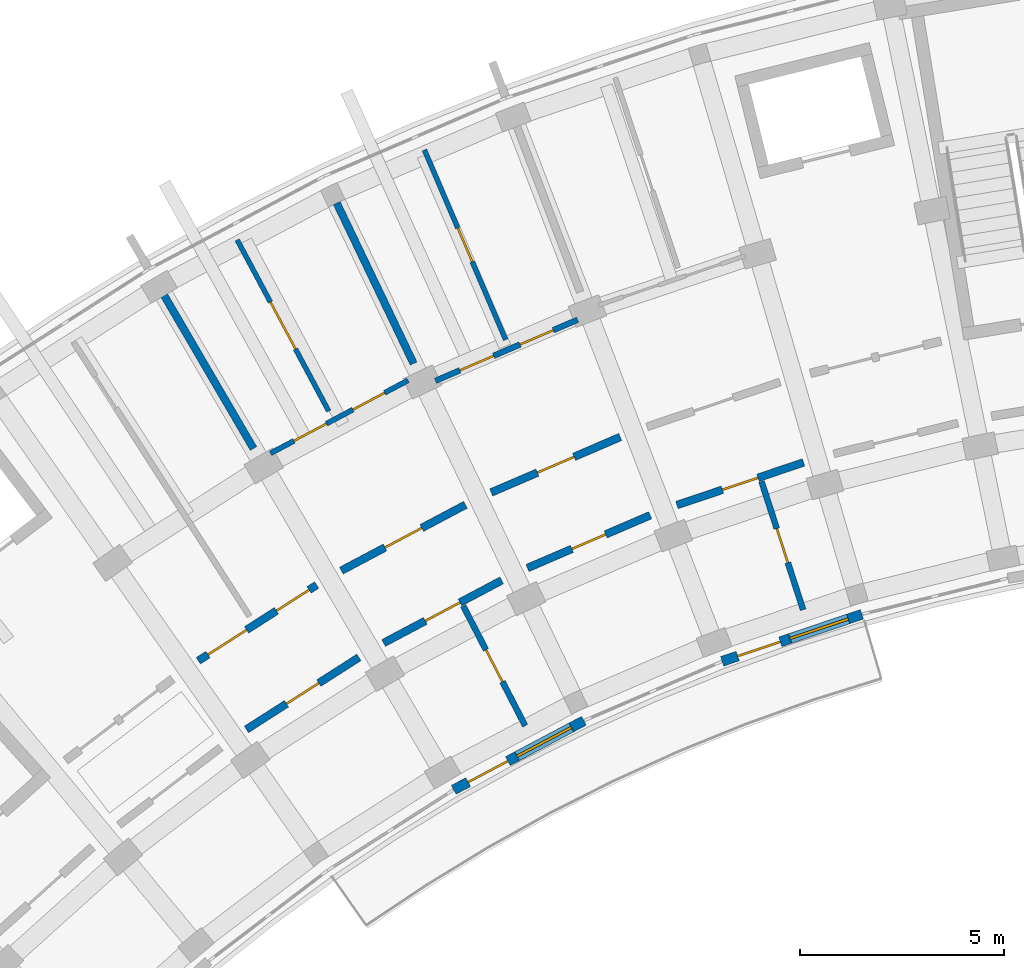
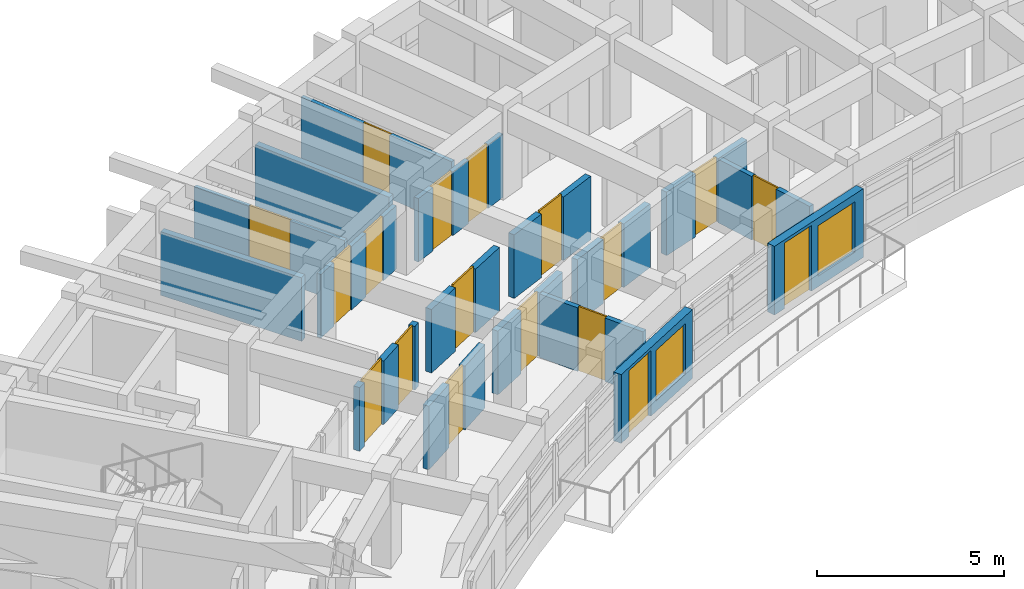
# One storey, part 28 of 56: 18 doors, 17 walls, 2 windows, 20 openings.
"""IFC4 building model written with IfcOpenShell, lengths in metres."""

from ifc_helpers import new_model, si_unit, direction, frame, frame_2d, origin, place, context, subcontext, project, spatial, rectangle, extrude, material, layer, layer_set, type_object, element, fill, save


model = new_model("IFC4")

# Units and contexts
model_context = context("Model", 3, precision=1e-05, world=origin(), true_north=direction((0.0, 1.0)))
body_context = subcontext(model_context, "Body", "Model", "MODEL_VIEW")
ifc_project = project(units=[si_unit("LENGTHUNIT", "METRE"), si_unit("AREAUNIT", "SQUARE_METRE"), si_unit("VOLUMEUNIT", "CUBIC_METRE"), si_unit("PLANEANGLEUNIT", "RADIAN"), si_unit("MASSUNIT", "GRAM", prefix="KILO")], contexts=[model_context])

# Site, building, storey
site_placement = place(None, origin())
site = spatial("IfcSite", under=ifc_project, at=site_placement, CompositionType="ELEMENT")
building_placement = place(site_placement, origin())
building = spatial("IfcBuilding", under=site, at=building_placement, Name="Zimvara Arc Housing Community", CompositionType="ELEMENT")
storey_placement = place(building_placement, frame((0.0, 0.0, 11.199951171875)))
storey = spatial("IfcBuildingStorey", under=building, at=storey_placement, Name="L03", CompositionType="ELEMENT", Elevation=11.199951171875)

# Wall, openings, door, window
ifc_material_1 = material(Name="Pigmented Fair-Faced Concrete C35/45", Category="concrete")
ifc_layer_1 = layer(ifc_material_1, 0.2451171875)
ifc_layer_set_1 = layer_set([ifc_layer_1], Name="Pigmented Fair-Faced Concrete C35/45")
wall_type_1 = type_object("IfcWallType", Name="EWL-PIGM-245", PredefinedType="SOLIDWALL", material=ifc_layer_set_1)
wall_1_placement = place(storey_placement, frame((22.51904296875, 83.0419921875, 0.0), z_axis=(0.0, 0.0, 1.0), x_axis=(0.883438308286, 0.468547495407, 0.0)))
wall_1 = element("IfcWall", 1, at=wall_1_placement, inside=storey, type_object=wall_type_1, Name="ewall:blkA:L03:in:b4", PredefinedType="SOLIDWALL", context=body_context, shape_type="SweptSolid", body=[
    extrude(rectangle(XDim=3.603759765625, YDim=0.2451171875, at=frame_2d((1.8017578125, 0.0))), origin(), (0.0, 0.0, 1.0), 2.25),
])
opening_1_placement = place(wall_1_placement, frame((0.39990234375, 0.0, 0.0)))
opening_1 = element("IfcOpeningElement", 2, at=opening_1_placement, cuts=wall_1, Name="Opening ED06", PredefinedType="OPENING", context=body_context, shape_type="SweptSolid", body=[
    extrude(rectangle(XDim=1.10009765625, YDim=2.14990234375, at=frame_2d((0.550048828125, 1.074951171875))), frame((0.0, 0.132568359375, 0.0), z_axis=(0.0, -1.0, 0.0), x_axis=(1.0, 0.0, 0.0)), (0.0, 0.0, 1.0), 0.26513671875),
])
opening_2_placement = place(wall_1_placement, frame((1.753662109375, 0.0, 0.35009765625)))
opening_2 = element("IfcOpeningElement", 3, at=opening_2_placement, cuts=wall_1, Name="Opening W07", PredefinedType="OPENING", context=body_context, shape_type="SweptSolid", body=[
    extrude(rectangle(XDim=1.5, YDim=1.64990234375, at=frame_2d((0.75, 0.824951171875))), frame((0.0, 0.132568359375, 0.0), z_axis=(0.0, -1.0, 0.0), x_axis=(1.0, 0.0, 0.0)), (0.0, 0.0, 1.0), 0.26513671875),
])
ifc_material_2 = material(Name="Anodised Aluminium AW-6063", Category="aluminium")
door_type_1 = type_object("IfcDoorType", Name="EDR-TERR-1100x2150", OperationType="NOTDEFINED", PredefinedType="DOOR", material=ifc_material_2)
door_1_placement = place(opening_1_placement, origin())
door_1 = element("IfcDoor", 4, at=door_1_placement, inside=storey, type_object=door_type_1, Name="edoor:blkA:L03:bal_in:b4", OperationType="SINGLE_SWING_RIGHT", OverallHeight=2.14990234375, OverallWidth=1.10009765625, PredefinedType="DOOR", context=body_context, shape_type="SweptSolid", body=[
    extrude(rectangle(XDim=1.10009765625, YDim=2.14990234375, at=frame_2d((0.550048828125, 1.074951171875))), frame((0.0, 0.02490234375, 0.0), z_axis=(0.0, -1.0, 0.0), x_axis=(1.0, 0.0, 0.0)), (0.0, 0.0, 1.0), 0.050048828125),
])
fill(opening_1, door_1)
ifc_material_3 = material(Name="Solar Control Low-E Double Glazing", Category="glass")
window_type = type_object("IfcWindowType", Name="WIN-RES-1500x1650", PartitioningType="DOUBLE_PANEL_VERTICAL", PredefinedType="WINDOW", material=ifc_material_3)
window_1_placement = place(opening_2_placement, origin())
window_1 = element("IfcWindow", 5, at=window_1_placement, inside=storey, type_object=window_type, Name="win:blkA:L03:in:b4:balw", OverallHeight=1.64990234375, OverallWidth=1.5, PartitioningType="DOUBLE_PANEL_VERTICAL", PredefinedType="WINDOW", context=body_context, shape_type="SweptSolid", body=[
    extrude(rectangle(XDim=1.5, YDim=1.64990234375, at=frame_2d((0.75, 0.824951171875))), frame((0.0, 0.030029296875, 0.0), z_axis=(0.0, -1.0, 0.0), x_axis=(1.0, 0.0, 0.0)), (0.0, 0.0, 1.0), 0.06005859375),
])
fill(opening_2, window_1)

wall_2_placement = place(storey_placement, frame((29.086669921875, 86.18505859375, 0.0), z_axis=(0.0, 0.0, 1.0), x_axis=(0.947880824442, 0.318625081649, 0.0)))
wall_2 = element("IfcWall", 6, at=wall_2_placement, inside=storey, type_object=wall_type_1, Name="ewall:blkA:L03:in:b6", PredefinedType="SOLIDWALL", context=body_context, shape_type="SweptSolid", body=[
    extrude(rectangle(XDim=3.603515625, YDim=0.2451171875, at=frame_2d((1.8017578125, 0.0))), origin(), (0.0, 0.0, 1.0), 2.25),
])
opening_3_placement = place(wall_2_placement, frame((0.39990234375, 0.0, 0.0)))
opening_3 = element("IfcOpeningElement", 7, at=opening_3_placement, cuts=wall_2, Name="Opening ED06", PredefinedType="OPENING", context=body_context, shape_type="SweptSolid", body=[
    extrude(rectangle(XDim=1.10009765625, YDim=2.14990234375, at=frame_2d((0.550048828125, 1.074951171875))), frame((0.0, 0.132568359375, 0.0), z_axis=(0.0, -1.0, 0.0), x_axis=(1.0, 0.0, 0.0)), (0.0, 0.0, 1.0), 0.26513671875),
])
opening_4_placement = place(wall_2_placement, frame((1.753662109375, 0.0, 0.35009765625)))
opening_4 = element("IfcOpeningElement", 8, at=opening_4_placement, cuts=wall_2, Name="Opening W07", PredefinedType="OPENING", context=body_context, shape_type="SweptSolid", body=[
    extrude(rectangle(XDim=1.5, YDim=1.64990234375, at=frame_2d((0.75, 0.824951171875))), frame((0.0, 0.132568359375, 0.0), z_axis=(0.0, -1.0, 0.0), x_axis=(1.0, 0.0, 0.0)), (0.0, 0.0, 1.0), 0.26513671875),
])
door_2_placement = place(opening_3_placement, origin())
door_2 = element("IfcDoor", 9, at=door_2_placement, inside=storey, type_object=door_type_1, Name="edoor:blkA:L03:bal_in:b6", OperationType="SINGLE_SWING_RIGHT", OverallHeight=2.14990234375, OverallWidth=1.10009765625, PredefinedType="DOOR", context=body_context, shape_type="SweptSolid", body=[
    extrude(rectangle(XDim=1.10009765625, YDim=2.14990234375, at=frame_2d((0.550048828125, 1.074951171875))), frame((0.0, 0.02490234375, 0.0), z_axis=(0.0, -1.0, 0.0), x_axis=(1.0, 0.0, 0.0)), (0.0, 0.0, 1.0), 0.050048828125),
])
fill(opening_3, door_2)
window_2_placement = place(opening_4_placement, origin())
window_2 = element("IfcWindow", 10, at=window_2_placement, inside=storey, type_object=window_type, Name="win:blkA:L03:in:b6:balw", OverallHeight=1.64990234375, OverallWidth=1.5, PartitioningType="DOUBLE_PANEL_VERTICAL", PredefinedType="WINDOW", context=body_context, shape_type="SweptSolid", body=[
    extrude(rectangle(XDim=1.5, YDim=1.64990234375, at=frame_2d((0.75, 0.824951171875))), frame((0.0, 0.030029296875, 0.0), z_axis=(0.0, -1.0, 0.0), x_axis=(1.0, 0.0, 0.0)), (0.0, 0.0, 1.0), 0.06005859375),
])
fill(opening_4, window_2)

# Wall, openings, doors
ifc_material_4 = material(Name="Concrete C35/45", Category="concrete")
ifc_layer_2 = layer(ifc_material_4, 0.18994140625)
ifc_layer_set_2 = layer_set([ifc_layer_2], Name="Concrete C35/45")
wall_type_2 = type_object("IfcWallType", Name="IWL-CORR-190", PredefinedType="SOLIDWALL", material=ifc_layer_set_2)
wall_3_placement = place(storey_placement, frame((16.272216796875, 86.198974609375, 0.0), z_axis=(0.0, 0.0, 1.0), x_axis=(0.842257205985, 0.539075874963, 0.0)))
wall_3 = element("IfcWall", 11, at=wall_3_placement, inside=storey, type_object=wall_type_2, Name="iwall:blkA:L03:corr_out:b3", PredefinedType="SOLIDWALL", context=body_context, shape_type="SweptSolid", body=[
    extrude(rectangle(XDim=3.43603515625, YDim=0.18994140625, at=frame_2d((1.718017578125, 0.0))), origin(), (0.0, 0.0, 1.0), 2.080078125),
])
opening_5_placement = place(wall_3_placement, frame((0.280029296875, 0.0, 0.0)))
opening_5 = element("IfcOpeningElement", 12, at=opening_5_placement, cuts=wall_3, Name="Opening D07", PredefinedType="OPENING", context=body_context, shape_type="SweptSolid", body=[
    extrude(rectangle(XDim=1.1201171875, YDim=2.14990234375, at=frame_2d((0.56005859375, 1.074951171875))), frame((0.0, 0.10498046875, 0.0), z_axis=(0.0, -1.0, 0.0), x_axis=(1.0, 0.0, 0.0)), (0.0, 0.0, 1.0), 0.2099609375),
])
opening_6_placement = place(wall_3_placement, frame((2.26611328125, 0.0, 0.0)))
opening_6 = element("IfcOpeningElement", 13, at=opening_6_placement, cuts=wall_3, Name="Opening D06", PredefinedType="OPENING", context=body_context, shape_type="SweptSolid", body=[
    extrude(rectangle(XDim=0.949951171875, YDim=2.10009765625, at=frame_2d((0.47509765625, 1.050048828125))), frame((0.0, 0.10498046875, 0.0), z_axis=(0.0, -1.0, 0.0), x_axis=(1.0, 0.0, 0.0)), (0.0, 0.0, 1.0), 0.2099609375),
])
ifc_material_5 = material(Name="Mozambican Hardwood", Category="wood")
door_type_2 = type_object("IfcDoorType", Name="IDR-AMN-1120x2150", OperationType="NOTDEFINED", PredefinedType="DOOR", material=ifc_material_5)
door_3_placement = place(opening_5_placement, origin())
door_3 = element("IfcDoor", 14, at=door_3_placement, inside=storey, type_object=door_type_2, Name="idoor:blkA:L03:amen:b3", OperationType="SINGLE_SWING_RIGHT", OverallHeight=2.14990234375, OverallWidth=1.1201171875, PredefinedType="DOOR", context=body_context, shape_type="SweptSolid", body=[
    extrude(rectangle(XDim=1.1201171875, YDim=2.14990234375, at=frame_2d((0.56005859375, 1.074951171875))), frame((0.0, 0.02490234375, 0.0), z_axis=(0.0, -1.0, 0.0), x_axis=(1.0, 0.0, 0.0)), (0.0, 0.0, 1.0), 0.050048828125),
])
fill(opening_5, door_3)
ifc_material_6 = material(Name="Mozambican Hardwood", Category="wood")
door_type_3 = type_object("IfcDoorType", Name="IDR-AWC-0950x2100", OperationType="NOTDEFINED", PredefinedType="DOOR", material=ifc_material_6)
door_4_placement = place(opening_6_placement, origin())
door_4 = element("IfcDoor", 15, at=door_4_placement, inside=storey, type_object=door_type_3, Name="idoor:blkA:L03:cawc:b3", OperationType="SINGLE_SWING_LEFT", OverallHeight=2.10009765625, OverallWidth=0.949951171875, PredefinedType="DOOR", context=body_context, shape_type="SweptSolid", body=[
    extrude(rectangle(XDim=0.949951171875, YDim=2.10009765625, at=frame_2d((0.47509765625, 1.050048828125))), frame((0.0, 0.02490234375, 0.0), z_axis=(0.0, -1.0, 0.0), x_axis=(1.0, 0.0, 0.0)), (0.0, 0.0, 1.0), 0.050048828125),
])
fill(opening_6, door_4)

# Wall, opening, door
wall_4_placement = place(storey_placement, frame((17.44677734375, 84.518798828125, 0.0), z_axis=(0.0, 0.0, 1.0), x_axis=(0.842225276846, 0.539125758095, 0.0)))
wall_4 = element("IfcWall", 16, at=wall_4_placement, inside=storey, type_object=wall_type_2, Name="iwall:blkA:L03:corr_in:b3", PredefinedType="SOLIDWALL", context=body_context, shape_type="SweptSolid", body=[
    extrude(rectangle(XDim=3.2685546875, YDim=0.18994140625, at=frame_2d((1.63427734375, 0.0))), origin(), (0.0, 0.0, 1.0), 2.080078125),
])
opening_7_placement = place(wall_4_placement, frame((1.164306640625, 0.0, 0.0)))
opening_7 = element("IfcOpeningElement", 17, at=opening_7_placement, cuts=wall_4, Name="Opening D03", PredefinedType="OPENING", context=body_context, shape_type="SweptSolid", body=[
    extrude(rectangle(XDim=0.93994140625, YDim=2.10009765625, at=frame_2d((0.469970703125, 1.050048828125))), frame((0.0, 0.10498046875, 0.0), z_axis=(0.0, -1.0, 0.0), x_axis=(1.0, 0.0, 0.0)), (0.0, 0.0, 1.0), 0.2099609375),
])
ifc_material_7 = material(Name="Mozambican Hardwood", Category="wood")
door_type_4 = type_object("IfcDoorType", Name="IDR-RM-0940x2100", OperationType="NOTDEFINED", PredefinedType="DOOR", material=ifc_material_7)
door_5_placement = place(opening_7_placement, origin())
door_5 = element("IfcDoor", 18, at=door_5_placement, inside=storey, type_object=door_type_4, Name="idoor:blkA:L03:in_rm:b3", OperationType="SINGLE_SWING_RIGHT", OverallHeight=2.10009765625, OverallWidth=0.93994140625, PredefinedType="DOOR", context=body_context, shape_type="SweptSolid", body=[
    extrude(rectangle(XDim=0.93994140625, YDim=2.10009765625, at=frame_2d((0.469970703125, 1.050048828125))), frame((0.0, 0.02490234375, 0.0), z_axis=(0.0, -1.0, 0.0), x_axis=(1.0, 0.0, 0.0)), (0.0, 0.0, 1.0), 0.050048828125),
])
fill(opening_7, door_5)

wall_5_placement = place(storey_placement, frame((19.770263671875, 88.40380859375, 0.0), z_axis=(0.0, 0.0, 1.0), x_axis=(0.883410853063, 0.468599258099, 0.0)))
wall_5 = element("IfcWall", 19, at=wall_5_placement, inside=storey, type_object=wall_type_2, Name="iwall:blkA:L03:corr_out:b4", PredefinedType="SOLIDWALL", context=body_context, shape_type="SweptSolid", body=[
    extrude(rectangle(XDim=3.43603515625, YDim=0.18994140625, at=frame_2d((1.718017578125, 0.0))), origin(), (0.0, 0.0, 1.0), 2.080078125),
])
opening_8_placement = place(wall_5_placement, frame((1.2080078125, 0.0, 0.0)))
opening_8 = element("IfcOpeningElement", 20, at=opening_8_placement, cuts=wall_5, Name="Opening FD-FL2", PredefinedType="OPENING", context=body_context, shape_type="SweptSolid", body=[
    extrude(rectangle(XDim=1.02001953125, YDim=2.14990234375, at=frame_2d((0.510009765625, 1.074951171875))), frame((0.0, 0.10498046875, 0.0), z_axis=(0.0, -1.0, 0.0), x_axis=(1.0, 0.0, 0.0)), (0.0, 0.0, 1.0), 0.2099609375),
])
ifc_material_8 = material(Name="Mozambican Hardwood", Category="wood")
door_type_5 = type_object("IfcDoorType", Name="IDR-FLAT-1020x2150", OperationType="NOTDEFINED", PredefinedType="DOOR", material=ifc_material_8)
door_6_placement = place(opening_8_placement, origin())
door_6 = element("IfcDoor", 21, at=door_6_placement, inside=storey, type_object=door_type_5, Name="idoor:blkA:L03:flat:b4", OperationType="SINGLE_SWING_RIGHT", OverallHeight=2.14990234375, OverallWidth=1.02001953125, PredefinedType="DOOR", context=body_context, shape_type="SweptSolid", body=[
    extrude(rectangle(XDim=1.02001953125, YDim=2.14990234375, at=frame_2d((0.510009765625, 1.074951171875))), frame((0.0, 0.02490234375, 0.0), z_axis=(0.0, -1.0, 0.0), x_axis=(1.0, 0.0, 0.0)), (0.0, 0.0, 1.0), 0.050048828125),
])
fill(opening_8, door_6)

wall_6_placement = place(storey_placement, frame((20.8037109375, 86.633544921875, 0.0), z_axis=(0.0, 0.0, 1.0), x_axis=(0.883444301944, 0.468536194293, 0.0)))
wall_6 = element("IfcWall", 22, at=wall_6_placement, inside=storey, type_object=wall_type_2, Name="iwall:blkA:L03:corr_in:b4", PredefinedType="SOLIDWALL", context=body_context, shape_type="SweptSolid", body=[
    extrude(rectangle(XDim=3.268798828125, YDim=0.18994140625, at=frame_2d((1.63427734375, 0.0))), origin(), (0.0, 0.0, 1.0), 2.080078125),
])
opening_9_placement = place(wall_6_placement, frame((1.154296875, 0.0, 0.0)))
opening_9 = element("IfcOpeningElement", 23, at=opening_9_placement, cuts=wall_6, Name="Opening D04", PredefinedType="OPENING", context=body_context, shape_type="SweptSolid", body=[
    extrude(rectangle(XDim=0.9599609375, YDim=2.10009765625, at=frame_2d((0.47998046875, 1.050048828125))), frame((0.0, 0.10498046875, 0.0), z_axis=(0.0, -1.0, 0.0), x_axis=(1.0, 0.0, 0.0)), (0.0, 0.0, 1.0), 0.2099609375),
])
ifc_material_9 = material(Name="Mozambican Hardwood", Category="wood")
door_type_6 = type_object("IfcDoorType", Name="IDR-RM-0960x2100", OperationType="NOTDEFINED", PredefinedType="DOOR", material=ifc_material_9)
door_7_placement = place(opening_9_placement, origin())
door_7 = element("IfcDoor", 24, at=door_7_placement, inside=storey, type_object=door_type_6, Name="idoor:blkA:L03:in_rm:b4", OperationType="SINGLE_SWING_LEFT", OverallHeight=2.10009765625, OverallWidth=0.9599609375, PredefinedType="DOOR", context=body_context, shape_type="SweptSolid", body=[
    extrude(rectangle(XDim=0.9599609375, YDim=2.10009765625, at=frame_2d((0.47998046875, 1.050048828125))), frame((0.0, 0.02490234375, 0.0), z_axis=(0.0, -1.0, 0.0), x_axis=(1.0, 0.0, 0.0)), (0.0, 0.0, 1.0), 0.050048828125),
])
fill(opening_9, door_7)

wall_7_placement = place(storey_placement, frame((23.4365234375, 90.31591796875, 0.0), z_axis=(0.0, 0.0, 1.0), x_axis=(0.918718172399, 0.394913813008, 0.0)))
wall_7 = element("IfcWall", 25, at=wall_7_placement, inside=storey, type_object=wall_type_2, Name="iwall:blkA:L03:corr_out:b5", PredefinedType="SOLIDWALL", context=body_context, shape_type="SweptSolid", body=[
    extrude(rectangle(XDim=3.43603515625, YDim=0.18994140625, at=frame_2d((1.718017578125, 0.0))), origin(), (0.0, 0.0, 1.0), 2.080078125),
])
opening_10_placement = place(wall_7_placement, frame((1.22802734375, 0.0, 0.0)))
opening_10 = element("IfcOpeningElement", 26, at=opening_10_placement, cuts=wall_7, Name="Opening FD-FL1", PredefinedType="OPENING", context=body_context, shape_type="SweptSolid", body=[
    extrude(rectangle(XDim=0.97998046875, YDim=2.14990234375, at=frame_2d((0.489990234375, 1.074951171875))), frame((0.0, 0.10498046875, 0.0), z_axis=(0.0, -1.0, 0.0), x_axis=(1.0, 0.0, 0.0)), (0.0, 0.0, 1.0), 0.2099609375),
])
ifc_material_10 = material(Name="Mozambican Hardwood", Category="wood")
door_type_7 = type_object("IfcDoorType", Name="IDR-FLAT-0980x2150", OperationType="NOTDEFINED", PredefinedType="DOOR", material=ifc_material_10)
door_8_placement = place(opening_10_placement, origin())
door_8 = element("IfcDoor", 27, at=door_8_placement, inside=storey, type_object=door_type_7, Name="idoor:blkA:L03:flat:b5", OperationType="SINGLE_SWING_RIGHT", OverallHeight=2.14990234375, OverallWidth=0.97998046875, PredefinedType="DOOR", context=body_context, shape_type="SweptSolid", body=[
    extrude(rectangle(XDim=0.97998046875, YDim=2.14990234375, at=frame_2d((0.489990234375, 1.074951171875))), frame((0.0, 0.02490234375, 0.0), z_axis=(0.0, -1.0, 0.0), x_axis=(1.0, 0.0, 0.0)), (0.0, 0.0, 1.0), 0.050048828125),
])
fill(opening_10, door_8)

wall_8_placement = place(storey_placement, frame((24.322265625, 88.46728515625, 0.0), z_axis=(0.0, 0.0, 1.0), x_axis=(0.918723391052, 0.394901672235, 0.0)))
wall_8 = element("IfcWall", 28, at=wall_8_placement, inside=storey, type_object=wall_type_2, Name="iwall:blkA:L03:corr_in:b5", PredefinedType="SOLIDWALL", context=body_context, shape_type="SweptSolid", body=[
    extrude(rectangle(XDim=3.2685546875, YDim=0.18994140625, at=frame_2d((1.63427734375, 0.0))), origin(), (0.0, 0.0, 1.0), 2.080078125),
])
opening_11_placement = place(wall_8_placement, frame((1.184326171875, 0.0, 0.0)))
opening_11 = element("IfcOpeningElement", 29, at=opening_11_placement, cuts=wall_8, Name="Opening D01", PredefinedType="OPENING", context=body_context, shape_type="SweptSolid", body=[
    extrude(rectangle(XDim=0.89990234375, YDim=2.10009765625, at=frame_2d((0.449951171875, 1.050048828125))), frame((0.0, 0.10498046875, 0.0), z_axis=(0.0, -1.0, 0.0), x_axis=(1.0, 0.0, 0.0)), (0.0, 0.0, 1.0), 0.2099609375),
])
ifc_material_11 = material(Name="Mozambican Hardwood", Category="wood")
door_type_8 = type_object("IfcDoorType", Name="IDR-RM-0900x2100", OperationType="NOTDEFINED", PredefinedType="DOOR", material=ifc_material_11)
door_9_placement = place(opening_11_placement, origin())
door_9 = element("IfcDoor", 30, at=door_9_placement, inside=storey, type_object=door_type_8, Name="idoor:blkA:L03:in_rm:b5", OperationType="SINGLE_SWING_LEFT", OverallHeight=2.10009765625, OverallWidth=0.89990234375, PredefinedType="DOOR", context=body_context, shape_type="SweptSolid", body=[
    extrude(rectangle(XDim=0.89990234375, YDim=2.10009765625, at=frame_2d((0.449951171875, 1.050048828125))), frame((0.0, 0.02490234375, 0.0), z_axis=(0.0, -1.0, 0.0), x_axis=(1.0, 0.0, 0.0)), (0.0, 0.0, 1.0), 0.050048828125),
])
fill(opening_11, door_9)

wall_9_placement = place(storey_placement, frame((27.978515625, 90.0078125, 0.0), z_axis=(0.0, 0.0, 1.0), x_axis=(0.94787351033, 0.318646839643, 0.0)))
wall_9 = element("IfcWall", 31, at=wall_9_placement, inside=storey, type_object=wall_type_2, Name="iwall:blkA:L03:corr_in:b6", PredefinedType="SOLIDWALL", context=body_context, shape_type="SweptSolid", body=[
    extrude(rectangle(XDim=3.2685546875, YDim=0.18994140625, at=frame_2d((1.63427734375, 0.0))), origin(), (0.0, 0.0, 1.0), 2.080078125),
])
opening_12_placement = place(wall_9_placement, frame((1.17431640625, 0.0, 0.0)))
opening_12 = element("IfcOpeningElement", 32, at=opening_12_placement, cuts=wall_9, Name="Opening D02", PredefinedType="OPENING", context=body_context, shape_type="SweptSolid", body=[
    extrude(rectangle(XDim=0.919921875, YDim=2.10009765625, at=frame_2d((0.4599609375, 1.050048828125))), frame((0.0, 0.10498046875, 0.0), z_axis=(0.0, -1.0, 0.0), x_axis=(1.0, 0.0, 0.0)), (0.0, 0.0, 1.0), 0.2099609375),
])
ifc_material_12 = material(Name="Mozambican Hardwood", Category="wood")
door_type_9 = type_object("IfcDoorType", Name="IDR-RM-0920x2100", OperationType="NOTDEFINED", PredefinedType="DOOR", material=ifc_material_12)
door_10_placement = place(opening_12_placement, origin())
door_10 = element("IfcDoor", 33, at=door_10_placement, inside=storey, type_object=door_type_9, Name="idoor:blkA:L03:in_rm:b6", OperationType="SINGLE_SWING_RIGHT", OverallHeight=2.10009765625, OverallWidth=0.919921875, PredefinedType="DOOR", context=body_context, shape_type="SweptSolid", body=[
    extrude(rectangle(XDim=0.919921875, YDim=2.10009765625, at=frame_2d((0.4599609375, 1.050048828125))), frame((0.0, 0.02490234375, 0.0), z_axis=(0.0, -1.0, 0.0), x_axis=(1.0, 0.0, 0.0)), (0.0, 0.0, 1.0), 0.050048828125),
])
fill(opening_12, door_10)

# Walls
ifc_material_13 = material(Name="Concrete C35/45", Category="concrete")
ifc_layer_3 = layer(ifc_material_13, 0.18505859375)
ifc_layer_set_3 = layer_set([ifc_layer_3], Name="Concrete C35/45")
wall_type_3 = type_object("IfcWallType", Name="IWL-FLAT-185", PredefinedType="SOLIDWALL", material=ifc_layer_set_3)
for number, where, z_axis, x_axis, name in (
    (34, (17.62060546875, 91.391845703125, 0.0), (0.0, 0.0, 1.0), (-0.504216452091, 0.863577309475, 0.0), "iwall:blkA:L03:party:b4"),
    (35, (21.537841796875, 93.469482421875, 0.0), (0.0, 0.0, 1.0), (-0.432086898897, 0.901831975371, 0.0), "iwall:blkA:L03:party:b5"),
):
    element("IfcWall", number, at=place(storey_placement, frame(where, z_axis=z_axis, x_axis=x_axis)), inside=storey, type_object=wall_type_3, Name=name, PredefinedType="SOLIDWALL", context=body_context, shape_type="SweptSolid", body=[
        extrude(rectangle(XDim=4.35009765625, YDim=0.18505859375, at=frame_2d((2.175048828125, 0.0))), origin(), (0.0, 0.0, 1.0), 2.080078125),
    ])

# Wall, opening, door
ifc_material_14 = material(Name="Painted Acoustic Plasterboard")
ifc_layer_4 = layer(ifc_material_14, 0.1201171875)
ifc_layer_set_4 = layer_set([ifc_layer_4], Name="Painted Acoustic Plasterboard")
wall_type_4 = type_object("IfcWallType", Name="IWL-PART-120", PredefinedType="PARTITIONING", material=ifc_layer_set_4)
wall_10_placement = place(storey_placement, frame((19.46044921875, 92.3056640625, 0.0), z_axis=(0.0, 0.0, 1.0), x_axis=(-0.471228378949, 0.88201123285, 0.0)))
wall_10 = element("IfcWall", 36, at=wall_10_placement, inside=storey, type_object=wall_type_4, Name="iwall:blkA:L03:bed_div:b4", PredefinedType="PARTITIONING", context=body_context, shape_type="SweptSolid", body=[
    extrude(rectangle(XDim=4.75, YDim=0.1201171875, at=frame_2d((2.375, 0.0))), origin(), (0.0, 0.0, 1.0), 2.080078125),
])
opening_13_placement = place(wall_10_placement, frame((1.72509765625, 0.0, 0.0)))
opening_13 = element("IfcOpeningElement", 37, at=opening_13_placement, cuts=wall_10, Name="Opening D20", PredefinedType="OPENING", context=body_context, shape_type="SweptSolid", body=[
    extrude(rectangle(XDim=1.300048828125, YDim=2.10009765625, at=frame_2d((0.64990234375, 1.050048828125))), frame((0.0, 0.070068359375, 0.0), z_axis=(0.0, -1.0, 0.0), x_axis=(1.0, 0.0, 0.0)), (0.0, 0.0, 1.0), 0.14013671875),
])
ifc_material_15 = material(Name="Mozambican Hardwood", Category="wood")
door_type_10 = type_object("IfcDoorType", Name="IDR-MOD-1300x2240", OperationType="NOTDEFINED", PredefinedType="DOOR", material=ifc_material_15)
door_11_placement = place(opening_13_placement, origin())
door_11 = element("IfcDoor", 38, at=door_11_placement, inside=storey, type_object=door_type_10, Name="idoor:blkA:L03:bed_d:b4", OperationType="SINGLE_SWING_LEFT", OverallHeight=2.10009765625, OverallWidth=1.300048828125, PredefinedType="DOOR", context=body_context, shape_type="SweptSolid", body=[
    extrude(rectangle(XDim=1.300048828125, YDim=2.10009765625, at=frame_2d((0.64990234375, 1.050048828125))), frame((0.0, 0.02490234375, 0.0), z_axis=(0.0, -1.0, 0.0), x_axis=(1.0, 0.0, 0.0)), (0.0, 0.0, 1.0), 0.050048828125),
])
fill(opening_13, door_11)

wall_11_placement = place(storey_placement, frame((23.789306640625, 94.05126953125, 0.0), z_axis=(0.0, 0.0, 1.0), x_axis=(-0.393539995583, 0.919307495823, 0.0)))
wall_11 = element("IfcWall", 39, at=wall_11_placement, inside=storey, type_object=wall_type_4, Name="iwall:blkA:L03:bed_div:b5", PredefinedType="PARTITIONING", context=body_context, shape_type="SweptSolid", body=[
    extrude(rectangle(XDim=5.0498046875, YDim=0.1201171875, at=frame_2d((2.52490234375, 0.0))), origin(), (0.0, 0.0, 1.0), 2.080078125),
])
opening_14_placement = place(wall_11_placement, frame((2.074951171875, 0.0, 0.0)))
opening_14 = element("IfcOpeningElement", 40, at=opening_14_placement, cuts=wall_11, Name="Opening D01", PredefinedType="OPENING", context=body_context, shape_type="SweptSolid", body=[
    extrude(rectangle(XDim=0.89990234375, YDim=2.10009765625, at=frame_2d((0.449951171875, 1.050048828125))), frame((0.0, 0.070068359375, 0.0), z_axis=(0.0, -1.0, 0.0), x_axis=(1.0, 0.0, 0.0)), (0.0, 0.0, 1.0), 0.14013671875),
])
door_12_placement = place(opening_14_placement, origin())
door_12 = element("IfcDoor", 41, at=door_12_placement, inside=storey, type_object=door_type_8, Name="idoor:blkA:L03:bed_d:b5", OperationType="SINGLE_SWING_RIGHT", OverallHeight=2.10009765625, OverallWidth=0.89990234375, PredefinedType="DOOR", context=body_context, shape_type="SweptSolid", body=[
    extrude(rectangle(XDim=0.89990234375, YDim=2.10009765625, at=frame_2d((0.449951171875, 1.050048828125))), frame((0.0, 0.02490234375, 0.0), z_axis=(0.0, -1.0, 0.0), x_axis=(1.0, 0.0, 0.0)), (0.0, 0.0, 1.0), 0.050048828125),
])
fill(opening_14, door_12)

# Wall, openings, doors
ifc_material_16 = material(Name="Painted Acoustic Plasterboard")
ifc_layer_5 = layer(ifc_material_16, 0.125)
ifc_layer_set_5 = layer_set([ifc_layer_5], Name="Painted Acoustic Plasterboard")
wall_type_5 = type_object("IfcWallType", Name="IWL-PART-125", PredefinedType="PARTITIONING", material=ifc_layer_set_5)
wall_12_placement = place(storey_placement, frame((18.036865234375, 91.2734375, 0.0), z_axis=(0.0, 0.0, 1.0), x_axis=(0.883441603894, 0.468541281543, 0.0)))
wall_12 = element("IfcWall", 42, at=wall_12_placement, inside=storey, type_object=wall_type_5, Name="iwall:blkA:L03:srv:b4", PredefinedType="PARTITIONING", context=body_context, shape_type="SweptSolid", body=[
    extrude(rectangle(XDim=3.8095703125, YDim=0.125, at=frame_2d((1.90478515625, 0.0))), origin(), (0.0, 0.0, 1.0), 2.080078125),
])
opening_15_placement = place(wall_12_placement, frame((0.64990234375, 0.0, 0.0)))
opening_15 = element("IfcOpeningElement", 43, at=opening_15_placement, cuts=wall_12, Name="Opening D01", PredefinedType="OPENING", context=body_context, shape_type="SweptSolid", body=[
    extrude(rectangle(XDim=0.89990234375, YDim=2.10009765625, at=frame_2d((0.449951171875, 1.050048828125))), frame((0.0, 0.072509765625, 0.0), z_axis=(0.0, -1.0, 0.0), x_axis=(1.0, 0.0, 0.0)), (0.0, 0.0, 1.0), 0.14501953125),
])
opening_16_placement = place(wall_12_placement, frame((2.279541015625, 0.0, 0.0)))
opening_16 = element("IfcOpeningElement", 44, at=opening_16_placement, cuts=wall_12, Name="Opening D05", PredefinedType="OPENING", context=body_context, shape_type="SweptSolid", body=[
    extrude(rectangle(XDim=0.8798828125, YDim=2.10009765625, at=frame_2d((0.43994140625, 1.050048828125))), frame((0.0, 0.072509765625, 0.0), z_axis=(0.0, -1.0, 0.0), x_axis=(1.0, 0.0, 0.0)), (0.0, 0.0, 1.0), 0.14501953125),
])
door_13_placement = place(opening_15_placement, origin())
door_13 = element("IfcDoor", 45, at=door_13_placement, inside=storey, type_object=door_type_8, Name="idoor:blkA:L03:kit_liv:b4", OperationType="SINGLE_SWING_LEFT", OverallHeight=2.10009765625, OverallWidth=0.89990234375, PredefinedType="DOOR", context=body_context, shape_type="SweptSolid", body=[
    extrude(rectangle(XDim=0.89990234375, YDim=2.10009765625, at=frame_2d((0.449951171875, 1.050048828125))), frame((0.0, 0.02490234375, 0.0), z_axis=(0.0, -1.0, 0.0), x_axis=(1.0, 0.0, 0.0)), (0.0, 0.0, 1.0), 0.050048828125),
])
fill(opening_15, door_13)
ifc_material_17 = material(Name="Mozambican Hardwood", Category="wood")
door_type_11 = type_object("IfcDoorType", Name="IDR-WC-0880x2100", OperationType="NOTDEFINED", PredefinedType="DOOR", material=ifc_material_17)
door_14_placement = place(opening_16_placement, origin())
door_14 = element("IfcDoor", 46, at=door_14_placement, inside=storey, type_object=door_type_11, Name="idoor:blkA:L03:bath_d:b4", OperationType="SINGLE_SWING_RIGHT", OverallHeight=2.10009765625, OverallWidth=0.8798828125, PredefinedType="DOOR", context=body_context, shape_type="SweptSolid", body=[
    extrude(rectangle(XDim=0.8798828125, YDim=2.10009765625, at=frame_2d((0.43994140625, 1.050048828125))), frame((0.0, 0.02490234375, 0.0), z_axis=(0.0, -1.0, 0.0), x_axis=(1.0, 0.0, 0.0)), (0.0, 0.0, 1.0), 0.050048828125),
])
fill(opening_16, door_14)

ifc_material_18 = material(Name="Painted Acoustic Plasterboard")
ifc_layer_6 = layer(ifc_material_18, 0.139892578125)
ifc_layer_set_6 = layer_set([ifc_layer_6], Name="Painted Acoustic Plasterboard")
wall_type_6 = type_object("IfcWallType", Name="IWL-PART-140", PredefinedType="PARTITIONING", material=ifc_layer_set_6)
wall_13_placement = place(storey_placement, frame((22.072509765625, 93.046875, 0.0), z_axis=(0.0, 0.0, 1.0), x_axis=(0.918737522346, 0.394868794707, 0.0)))
wall_13 = element("IfcWall", 47, at=wall_13_placement, inside=storey, type_object=wall_type_6, Name="iwall:blkA:L03:srv:b5", PredefinedType="PARTITIONING", context=body_context, shape_type="SweptSolid", body=[
    extrude(rectangle(XDim=3.78515625, YDim=0.139892578125, at=frame_2d((1.892578125, 0.0))), origin(), (0.0, 0.0, 1.0), 2.080078125),
])
opening_17_placement = place(wall_13_placement, frame((0.64990234375, 0.0, 0.0)))
opening_17 = element("IfcOpeningElement", 48, at=opening_17_placement, cuts=wall_13, Name="Opening D01", PredefinedType="OPENING", context=body_context, shape_type="SweptSolid", body=[
    extrude(rectangle(XDim=0.89990234375, YDim=2.10009765625, at=frame_2d((0.449951171875, 1.050048828125))), frame((0.0, 0.079833984375, 0.0), z_axis=(0.0, -1.0, 0.0), x_axis=(1.0, 0.0, 0.0)), (0.0, 0.0, 1.0), 0.159912109375),
])
opening_18_placement = place(wall_13_placement, frame((2.255126953125, 0.0, 0.0)))
opening_18 = element("IfcOpeningElement", 49, at=opening_18_placement, cuts=wall_13, Name="Opening D05", PredefinedType="OPENING", context=body_context, shape_type="SweptSolid", body=[
    extrude(rectangle(XDim=0.8798828125, YDim=2.10009765625, at=frame_2d((0.43994140625, 1.050048828125))), frame((0.0, 0.079833984375, 0.0), z_axis=(0.0, -1.0, 0.0), x_axis=(1.0, 0.0, 0.0)), (0.0, 0.0, 1.0), 0.159912109375),
])
door_15_placement = place(opening_17_placement, origin())
door_15 = element("IfcDoor", 50, at=door_15_placement, inside=storey, type_object=door_type_8, Name="idoor:blkA:L03:kit_liv:b5", OperationType="SINGLE_SWING_RIGHT", OverallHeight=2.10009765625, OverallWidth=0.89990234375, PredefinedType="DOOR", context=body_context, shape_type="SweptSolid", body=[
    extrude(rectangle(XDim=0.89990234375, YDim=2.10009765625, at=frame_2d((0.449951171875, 1.050048828125))), frame((0.0, 0.02490234375, 0.0), z_axis=(0.0, -1.0, 0.0), x_axis=(1.0, 0.0, 0.0)), (0.0, 0.0, 1.0), 0.050048828125),
])
fill(opening_17, door_15)
door_16_placement = place(opening_18_placement, origin())
door_16 = element("IfcDoor", 51, at=door_16_placement, inside=storey, type_object=door_type_11, Name="idoor:blkA:L03:bath_d:b5", OperationType="SINGLE_SWING_LEFT", OverallHeight=2.10009765625, OverallWidth=0.8798828125, PredefinedType="DOOR", context=body_context, shape_type="SweptSolid", body=[
    extrude(rectangle(XDim=0.8798828125, YDim=2.10009765625, at=frame_2d((0.43994140625, 1.050048828125))), frame((0.0, 0.02490234375, 0.0), z_axis=(0.0, -1.0, 0.0), x_axis=(1.0, 0.0, 0.0)), (0.0, 0.0, 1.0), 0.050048828125),
])
fill(opening_18, door_16)

# Wall, opening, door
ifc_material_19 = material(Name="Painted Acoustic Plasterboard")
ifc_layer_7 = layer(ifc_material_19, 0.14501953125)
ifc_layer_set_7 = layer_set([ifc_layer_7], Name="Painted Acoustic Plasterboard")
wall_type_7 = type_object("IfcWallType", Name="IWL-WET-145", PredefinedType="PARTITIONING", material=ifc_layer_set_7)
wall_14_placement = place(storey_placement, frame((24.267333984375, 84.6083984375, 0.0), z_axis=(0.0, 0.0, 1.0), x_axis=(-0.459217611894, 0.888323806349, 0.0)))
wall_14 = element("IfcWall", 52, at=wall_14_placement, inside=storey, type_object=wall_type_7, Name="iwall:blkA:L03:ens:b4", PredefinedType="PARTITIONING", context=body_context, shape_type="SweptSolid", body=[
    extrude(rectangle(XDim=3.2998046875, YDim=0.14501953125, at=frame_2d((1.64990234375, 0.0))), origin(), (0.0, 0.0, 1.0), 2.080078125),
])
opening_19_placement = place(wall_14_placement, frame((1.2099609375, 0.0, 0.0)))
opening_19 = element("IfcOpeningElement", 53, at=opening_19_placement, cuts=wall_14, Name="Opening D05", PredefinedType="OPENING", context=body_context, shape_type="SweptSolid", body=[
    extrude(rectangle(XDim=0.8798828125, YDim=2.10009765625, at=frame_2d((0.43994140625, 1.050048828125))), frame((0.0, 0.08251953125, 0.0), z_axis=(0.0, -1.0, 0.0), x_axis=(1.0, 0.0, 0.0)), (0.0, 0.0, 1.0), 0.1650390625),
])
door_17_placement = place(opening_19_placement, origin())
door_17 = element("IfcDoor", 54, at=door_17_placement, inside=storey, type_object=door_type_11, Name="idoor:blkA:L03:ens_d:b4", OperationType="SINGLE_SWING_RIGHT", OverallHeight=2.10009765625, OverallWidth=0.8798828125, PredefinedType="DOOR", context=body_context, shape_type="SweptSolid", body=[
    extrude(rectangle(XDim=0.8798828125, YDim=2.10009765625, at=frame_2d((0.43994140625, 1.050048828125))), frame((0.0, 0.02490234375, 0.0), z_axis=(0.0, -1.0, 0.0), x_axis=(1.0, 0.0, 0.0)), (0.0, 0.0, 1.0), 0.050048828125),
])
fill(opening_19, door_17)

wall_15_placement = place(storey_placement, frame((31.06640625, 87.4462890625, 0.0), z_axis=(0.0, 0.0, 1.0), x_axis=(-0.308582493915, 0.951197584337, 0.0)))
wall_15 = element("IfcWall", 55, at=wall_15_placement, inside=storey, type_object=wall_type_7, Name="iwall:blkA:L03:ens:b6", PredefinedType="PARTITIONING", context=body_context, shape_type="SweptSolid", body=[
    extrude(rectangle(XDim=3.300048828125, YDim=0.14501953125, at=frame_2d((1.64990234375, 0.0))), origin(), (0.0, 0.0, 1.0), 2.080078125),
])
opening_20_placement = place(wall_15_placement, frame((1.2099609375, 0.0, 0.0)))
opening_20 = element("IfcOpeningElement", 56, at=opening_20_placement, cuts=wall_15, Name="Opening D05", PredefinedType="OPENING", context=body_context, shape_type="SweptSolid", body=[
    extrude(rectangle(XDim=0.8798828125, YDim=2.10009765625, at=frame_2d((0.43994140625, 1.050048828125))), frame((0.0, 0.08251953125, 0.0), z_axis=(0.0, -1.0, 0.0), x_axis=(1.0, 0.0, 0.0)), (0.0, 0.0, 1.0), 0.1650390625),
])
door_18_placement = place(opening_20_placement, origin())
door_18 = element("IfcDoor", 57, at=door_18_placement, inside=storey, type_object=door_type_11, Name="idoor:blkA:L03:ens_d:b6", OperationType="SINGLE_SWING_LEFT", OverallHeight=2.10009765625, OverallWidth=0.8798828125, PredefinedType="DOOR", context=body_context, shape_type="SweptSolid", body=[
    extrude(rectangle(XDim=0.8798828125, YDim=2.10009765625, at=frame_2d((0.43994140625, 1.050048828125))), frame((0.0, 0.02490234375, 0.0), z_axis=(0.0, -1.0, 0.0), x_axis=(1.0, 0.0, 0.0)), (0.0, 0.0, 1.0), 0.050048828125),
])
fill(opening_20, door_18)

save(model, "model.ifc")
